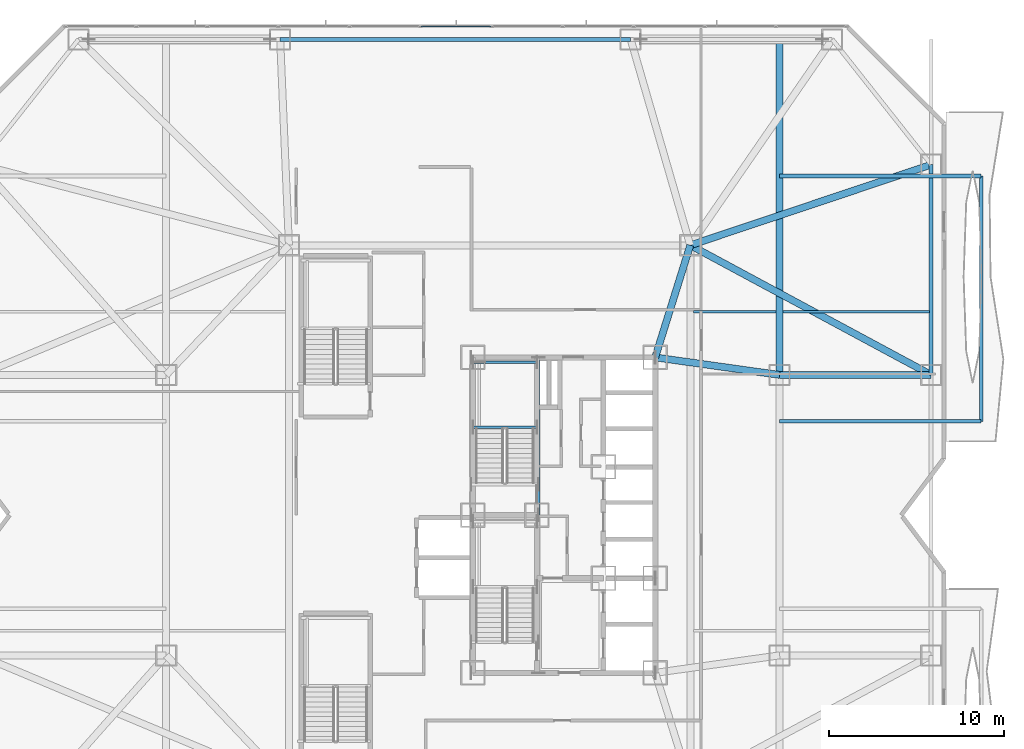
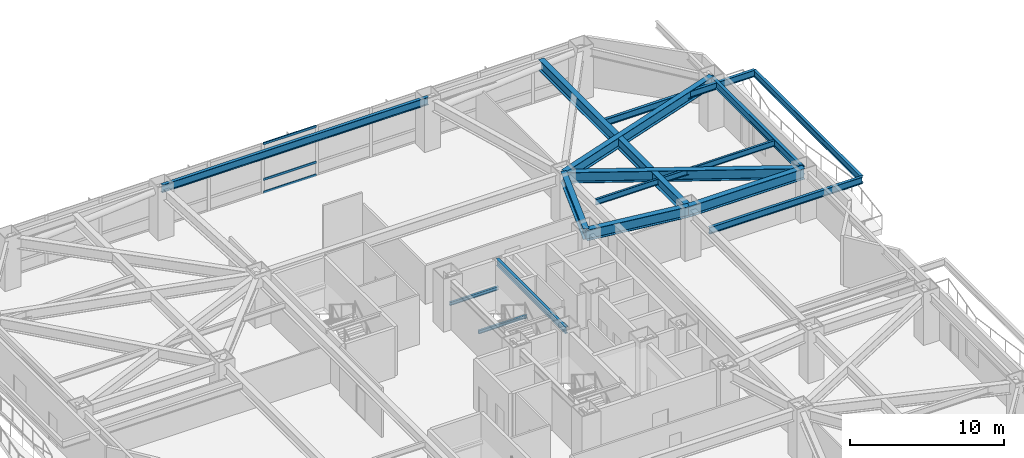
# One storey, part 5 of 24: 16 beams, 3 members, 1 element without a shape of its own.
"""IFC4 building model written with IfcOpenShell, lengths in metres."""

from ifc_helpers import new_model, si_unit, direction, frame, origin, origin_2d, place, context, subcontext, project, spatial, hollow_rectangle, i_section, extrude, material, material_profile, profile_set, type_object, element, aggregate, save


model = new_model("IFC4")

# Units and contexts
model_context = context("Model", 3, precision=1e-05, world=origin(), true_north=direction((0.0, 1.0)))
body_context = subcontext(model_context, "Body", "Model", "MODEL_VIEW")
ifc_project = project(units=[si_unit("LENGTHUNIT", "METRE"), si_unit("AREAUNIT", "SQUARE_METRE"), si_unit("VOLUMEUNIT", "CUBIC_METRE"), si_unit("PLANEANGLEUNIT", "RADIAN"), si_unit("MASSUNIT", "GRAM", prefix="KILO")], contexts=[model_context])

# Site, building, storey
site_placement = place(None, origin())
site = spatial("IfcSite", under=ifc_project, at=site_placement, CompositionType="ELEMENT")
building_placement = place(site_placement, origin())
building = spatial("IfcBuilding", under=site, at=building_placement, Name="Khamvora Tower", CompositionType="ELEMENT")
storey_placement = place(building_placement, frame((0.0, 0.0, 20.39990234375)))
storey = spatial("IfcBuildingStorey", under=building, at=storey_placement, Name="L04", CompositionType="ELEMENT", Elevation=20.39990234375)

# Beams
ifc_material_1 = material(Name="Steel S355", Category="steel")
ifc_material_profile_1 = material_profile(ifc_material_1, i_section(OverallWidth=0.154052734375, OverallDepth=0.458984375, WebThickness=0.009033203125, FlangeThickness=0.014892578125, FilletRadius=0.011962890625, at=origin_2d()), Name="W460x68")
ifc_profile_set_1 = profile_set([ifc_material_profile_1], Name="Steel S355")
beam_type_1 = type_object("IfcBeamType", Name="BM-JS-W460x68", PredefinedType="JOIST", material=ifc_profile_set_1)
beam_1_placement = place(storey_placement, frame((41.594970703125, 39.60009765625, 3.690185546875), z_axis=(1.0, 0.0, 0.0), x_axis=(0.0, 1.0, 0.0)))
element("IfcBeam", 1, at=beam_1_placement, inside=storey, type_object=beam_type_1, Name="L04 secondary floor joist 15", PredefinedType="JOIST", context=body_context, shape_type="SweptSolid", body=[
    extrude(i_section(OverallWidth=0.154052734375, OverallDepth=0.458984375, WebThickness=0.009033203125, FlangeThickness=0.014892578125, FilletRadius=0.011962890625, at=origin_2d()), origin(), (0.0, 0.0, 1.0), 4.7099609375),
])
beam_2_placement = place(storey_placement, frame((46.695068359375, 39.60009765625, 3.690185546875), z_axis=(1.0, 0.0, 0.0), x_axis=(0.0, 1.0, 0.0)))
element("IfcBeam", 2, at=beam_2_placement, inside=storey, type_object=beam_type_1, Name="L04 secondary floor joist 16", PredefinedType="JOIST", context=body_context, shape_type="SweptSolid", body=[
    extrude(i_section(OverallWidth=0.154052734375, OverallDepth=0.458984375, WebThickness=0.009033203125, FlangeThickness=0.014892578125, FilletRadius=0.011962890625, at=origin_2d()), origin(), (0.0, 0.0, 1.0), 8.344970703125),
])
ifc_material_profile_2 = material_profile(ifc_material_1, i_section(OverallWidth=0.14697265625, OverallDepth=0.261962890625, WebThickness=0.007080078125, FlangeThickness=0.010986328125, FilletRadius=0.008056640625, at=origin_2d()), Name="W250x39")
ifc_profile_set_2 = profile_set([ifc_material_profile_2], Name="Steel S355")
beam_type_2 = type_object("IfcBeamType", Name="BM-LN-W250x39", PredefinedType="LINTEL", material=ifc_profile_set_2)
for number, where, z_axis, x_axis, name in (
    (3, (29.0, 33.014892578125, 1.76904296875), (1.0, 0.0, 0.0), (0.0, 1.0, 0.0), "L04 ST-02 half-landing support beam 1.1"),
    (4, (29.0, 36.72998046875, 1.76904296875), (1.0, 0.0, 0.0), (0.0, 1.0, 0.0), "L04 ST-02 half-landing support beam 1.2"),
):
    element("IfcBeam", number, at=place(storey_placement, frame(where, z_axis=z_axis, x_axis=x_axis)), inside=storey, type_object=beam_type_2, Name=name, PredefinedType="LINTEL", context=body_context, shape_type="SweptSolid", body=[
        extrude(i_section(OverallWidth=0.14697265625, OverallDepth=0.261962890625, WebThickness=0.007080078125, FlangeThickness=0.010986328125, FilletRadius=0.008056640625, at=origin_2d()), origin(), (0.0, 0.0, 1.0), 3.64990234375),
    ])
ifc_material_profile_3 = material_profile(ifc_material_1, i_section(OverallWidth=0.39990234375, OverallDepth=0.85498046875, WebThickness=0.01806640625, FlangeThickness=0.029052734375, FilletRadius=0.01806640625, at=origin_2d()), Name="W840x299")
ifc_profile_set_3 = profile_set([ifc_material_profile_3], Name="Steel S355")
beam_type_3 = type_object("IfcBeamType", Name="BM-PG-W840x299", PredefinedType="BEAM", material=ifc_profile_set_3)
beam_3_placement = place(storey_placement, frame((46.5, 36.0, 3.4931640625), z_axis=(1.0, 0.0, 0.0), x_axis=(0.0, 1.0, 0.0)))
element("IfcBeam", 5, at=beam_3_placement, inside=storey, type_object=beam_type_3, Name="L04 primary floor girder P15", PredefinedType="BEAM", context=body_context, shape_type="SweptSolid", body=[
    extrude(i_section(OverallWidth=0.39990234375, OverallDepth=0.85498046875, WebThickness=0.01806640625, FlangeThickness=0.029052734375, FilletRadius=0.01806640625, at=origin_2d()), origin(), (0.0, 0.0, 1.0), 8.64990234375),
])
beam_4_placement = place(storey_placement, frame((41.39990234375, 43.39990234375, 3.4931640625), z_axis=(0.948335857324, 0.31726818579, 0.0), x_axis=(-0.31726818579, 0.948335857324, 0.0)))
element("IfcBeam", 6, at=beam_4_placement, inside=storey, type_object=beam_type_3, Name="L04 primary floor girder P16", PredefinedType="BEAM", context=body_context, shape_type="SweptSolid", body=[
    extrude(i_section(OverallWidth=0.39990234375, OverallDepth=0.85498046875, WebThickness=0.01806640625, FlangeThickness=0.029052734375, FilletRadius=0.01806640625, at=origin_2d()), origin(), (0.0, 0.0, 1.0), 14.4990234375),
])
beam_5_placement = place(storey_placement, frame((39.39990234375, 37.0, 3.4931640625), z_axis=(0.298279139585, 0.95447868226, 0.0), x_axis=(-0.95447868226, 0.298279139585, 0.0)))
element("IfcBeam", 7, at=beam_5_placement, inside=storey, type_object=beam_type_3, Name="L04 primary floor girder P20", PredefinedType="BEAM", context=body_context, shape_type="SweptSolid", body=[
    extrude(i_section(OverallWidth=0.39990234375, OverallDepth=0.85498046875, WebThickness=0.01806640625, FlangeThickness=0.029052734375, FilletRadius=0.01806640625, at=origin_2d()), origin(), (0.0, 0.0, 1.0), 6.705078125),
])
beam_6_placement = place(storey_placement, frame((39.39990234375, 37.0, 3.4931640625), z_axis=(0.990226770029, -0.139466640879, 0.0), x_axis=(0.139466640879, 0.990226770029, 0.0)))
element("IfcBeam", 8, at=beam_6_placement, inside=storey, type_object=beam_type_3, Name="L04 primary floor girder P24", PredefinedType="BEAM", context=body_context, shape_type="SweptSolid", body=[
    extrude(i_section(OverallWidth=0.39990234375, OverallDepth=0.85498046875, WebThickness=0.01806640625, FlangeThickness=0.029052734375, FilletRadius=0.01806640625, at=origin_2d()), origin(), (0.0, 0.0, 1.0), 7.170166015625),
])
beam_7_placement = place(storey_placement, frame((55.14990234375, 36.0, 3.4931640625), z_axis=(-0.880576508414, 0.473904012252, 0.0), x_axis=(-0.473904012252, -0.880576508414, 0.0)))
element("IfcBeam", 9, at=beam_7_placement, inside=storey, type_object=beam_type_3, Name="L04 east plinth tie girder 3", PredefinedType="BEAM", context=body_context, shape_type="SweptSolid", body=[
    extrude(i_section(OverallWidth=0.39990234375, OverallDepth=0.85498046875, WebThickness=0.01806640625, FlangeThickness=0.029052734375, FilletRadius=0.01806640625, at=origin_2d()), origin(), (0.0, 0.0, 1.0), 15.61474609375),
])
beam_8_placement = place(storey_placement, frame((46.5, 36.0, 3.4931640625), z_axis=(0.0, 1.0, 0.0), x_axis=(-1.0, 0.0, 0.0)))
element("IfcBeam", 10, at=beam_8_placement, inside=storey, type_object=beam_type_3, Name="L04 gallery collector girder E.3", PredefinedType="BEAM", context=body_context, shape_type="SweptSolid", body=[
    extrude(i_section(OverallWidth=0.39990234375, OverallDepth=0.85498046875, WebThickness=0.01806640625, FlangeThickness=0.029052734375, FilletRadius=0.01806640625, at=origin_2d()), origin(), (0.0, 0.0, 1.0), 19.14990234375),
])
ifc_material_profile_4 = material_profile(ifc_material_1, i_section(OverallWidth=0.208984375, OverallDepth=0.532958984375, WebThickness=0.010009765625, FlangeThickness=0.01611328125, FilletRadius=0.013916015625, at=origin_2d()), Name="W530x92")
ifc_profile_set_4 = profile_set([ifc_material_profile_4], Name="Steel S355")
beam_type_4 = type_object("IfcBeamType", Name="BM-SP-W530x92", PredefinedType="SPANDREL", material=ifc_profile_set_4)
beam_9_placement = place(storey_placement, frame((32.72998046875, 28.0, 3.653076171875), z_axis=(0.0, 1.0, 0.0), x_axis=(-1.0, 0.0, 0.0)))
element("IfcBeam", 11, at=beam_9_placement, inside=storey, type_object=beam_type_4, Name="L04 core spine girder M1N", PredefinedType="SPANDREL", context=body_context, shape_type="SweptSolid", body=[
    extrude(i_section(OverallWidth=0.208984375, OverallDepth=0.532958984375, WebThickness=0.010009765625, FlangeThickness=0.01611328125, FilletRadius=0.013916015625, at=origin_2d()), origin(), (0.0, 0.0, 1.0), 9.0),
])
for number, where, z_axis, x_axis, name in (
    (12, (46.5, 33.35009765625, 3.51318359375), (1.0, 0.0, 0.0), (0.0, 1.0, 0.0), "L04 continuous gallery cantilever girder L05-EL2-1"),
    (13, (46.5, 47.35009765625, 3.51318359375), (1.0, 0.0, 0.0), (0.0, 1.0, 0.0), "L04 continuous gallery cantilever girder L05-EL2-2"),
):
    element("IfcBeam", number, at=place(storey_placement, frame(where, z_axis=z_axis, x_axis=x_axis)), inside=storey, type_object=beam_type_4, Name=name, PredefinedType="SPANDREL", context=body_context, shape_type="SweptSolid", body=[
        extrude(i_section(OverallWidth=0.208984375, OverallDepth=0.532958984375, WebThickness=0.010009765625, FlangeThickness=0.01611328125, FilletRadius=0.013916015625, at=origin_2d()), origin(), (0.0, 0.0, 1.0), 11.5),
    ])
beam_10_placement = place(storey_placement, frame((58.0, 33.35009765625, 3.51318359375), z_axis=(0.0, 1.0, 0.0), x_axis=(-1.0, 0.0, 0.0)))
element("IfcBeam", 14, at=beam_10_placement, inside=storey, type_object=beam_type_4, Name="L04 external gallery edge header beam L05-EL2", PredefinedType="SPANDREL", context=body_context, shape_type="SweptSolid", body=[
    extrude(i_section(OverallWidth=0.208984375, OverallDepth=0.532958984375, WebThickness=0.010009765625, FlangeThickness=0.01611328125, FilletRadius=0.013916015625, at=origin_2d()), origin(), (0.0, 0.0, 1.0), 14.0),
])
ifc_material_profile_5 = material_profile(ifc_material_1, i_section(OverallWidth=0.22998046875, OverallDepth=0.616943359375, WebThickness=0.012939453125, FlangeThickness=0.02197265625, FilletRadius=0.013916015625, at=origin_2d()), Name="W610x140")
ifc_profile_set_5 = profile_set([ifc_material_profile_5], Name="Steel S355")
beam_type_5 = type_object("IfcBeamType", Name="BM-SP-W610x140", PredefinedType="SPANDREL", material=ifc_profile_set_5)
beam_11_placement = place(storey_placement, frame((55.14990234375, 36.0, 3.612060546875), z_axis=(0.0, 1.0, 0.0), x_axis=(-1.0, 0.0, 0.0)))
element("IfcBeam", 15, at=beam_11_placement, inside=storey, type_object=beam_type_5, Name="L04 perimeter spandrel beam P15-P16", PredefinedType="SPANDREL", context=body_context, shape_type="SweptSolid", body=[
    extrude(i_section(OverallWidth=0.22998046875, OverallDepth=0.616943359375, WebThickness=0.012939453125, FlangeThickness=0.02197265625, FilletRadius=0.013916015625, at=origin_2d()), origin(), (0.0, 0.0, 1.0), 12.0),
])
beam_12_placement = place(storey_placement, frame((38.0, 55.14990234375, 3.612060546875), z_axis=(-1.0, 0.0, 0.0), x_axis=(0.0, -1.0, 0.0)))
element("IfcBeam", 16, at=beam_12_placement, inside=storey, type_object=beam_type_5, Name="L04 perimeter spandrel beam P07-P06", PredefinedType="SPANDREL", context=body_context, shape_type="SweptSolid", body=[
    extrude(i_section(OverallWidth=0.22998046875, OverallDepth=0.616943359375, WebThickness=0.012939453125, FlangeThickness=0.02197265625, FilletRadius=0.013916015625, at=origin_2d()), origin(), (0.0, 0.0, 1.0), 20.0),
])

# Curtain wall, members
ifc_material_2 = material(Name="Anodised Aluminium 6063-T6", Category="aluminium")
curtain_wall_type = type_object("IfcCurtainWallType", Name="CW-SYS-01", PredefinedType="NOTDEFINED", material=ifc_material_2)
curtain_wall_placement = place(storey_placement, origin())
curtain_wall = element("IfcCurtainWall", 17, at=curtain_wall_placement, inside=storey, type_object=curtain_wall_type, Name="L04 stick curtain wall 07.1", PredefinedType="NOTDEFINED")
ifc_material_profile_6 = material_profile(ifc_material_2, hollow_rectangle(XDim=0.074951171875, YDim=0.179931640625, WallThickness=0.0048828125, at=origin_2d()), Name="TRN75x180x5")
ifc_profile_set_6 = profile_set([ifc_material_profile_6], Name="Anodised Aluminium 6063-T6")
member_type = type_object("IfcMemberType", Name="CW-SYS-01-TRN", PredefinedType="USERDEFINED", material=ifc_profile_set_6)
member_1_placement = place(storey_placement, frame((26.047607421875, 55.8798828125, 0.03759765625), z_axis=(1.0, 0.0, 0.0), x_axis=(0.0, 1.0, 0.0)))
member_1 = element("IfcMember", 18, at=member_1_placement, type_object=member_type, Name="CW-01 transom 6.1", ObjectType="TRANSOM", PredefinedType="USERDEFINED", context=body_context, shape_type="SweptSolid", body=[
    extrude(hollow_rectangle(XDim=0.074951171875, YDim=0.179931640625, WallThickness=0.0048828125, at=origin_2d()), origin(), (0.0, 0.0, 1.0), 3.981689453125),
])
member_2_placement = place(storey_placement, frame((26.047607421875, 55.8798828125, 1.050048828125), z_axis=(1.0, 0.0, 0.0), x_axis=(0.0, 1.0, 0.0)))
member_2 = element("IfcMember", 19, at=member_2_placement, type_object=member_type, Name="CW-01 transom 6.2", ObjectType="TRANSOM", PredefinedType="USERDEFINED", context=body_context, shape_type="SweptSolid", body=[
    extrude(hollow_rectangle(XDim=0.074951171875, YDim=0.179931640625, WallThickness=0.0048828125, at=origin_2d()), origin(), (0.0, 0.0, 1.0), 3.981689453125),
])
member_3_placement = place(storey_placement, frame((26.047607421875, 55.8798828125, 3.882568359375), z_axis=(1.0, 0.0, 0.0), x_axis=(0.0, 1.0, 0.0)))
member_3 = element("IfcMember", 20, at=member_3_placement, type_object=member_type, Name="CW-01 transom 6.3", ObjectType="TRANSOM", PredefinedType="USERDEFINED", context=body_context, shape_type="SweptSolid", body=[
    extrude(hollow_rectangle(XDim=0.074951171875, YDim=0.179931640625, WallThickness=0.0048828125, at=origin_2d()), origin(), (0.0, 0.0, 1.0), 3.981689453125),
])
aggregate(curtain_wall, [member_1, member_2, member_3])

save(model, "model.ifc")
